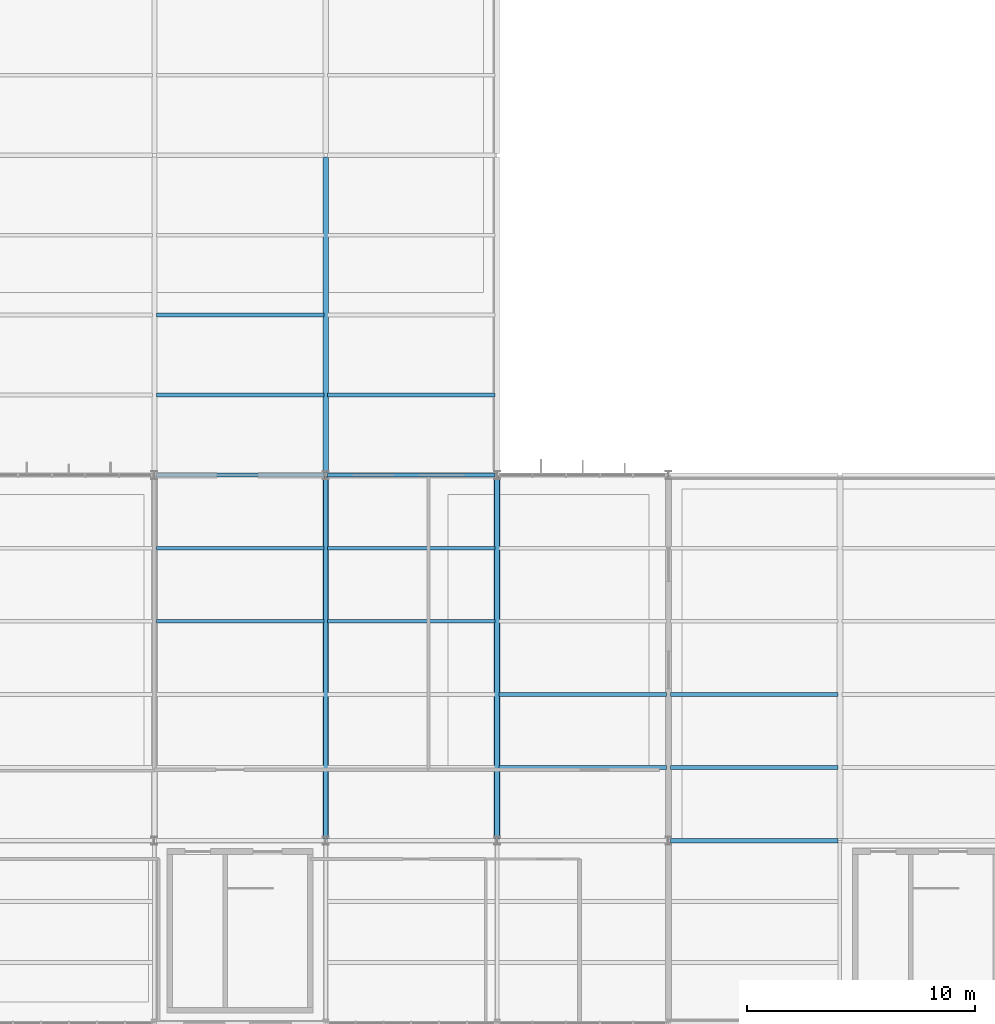
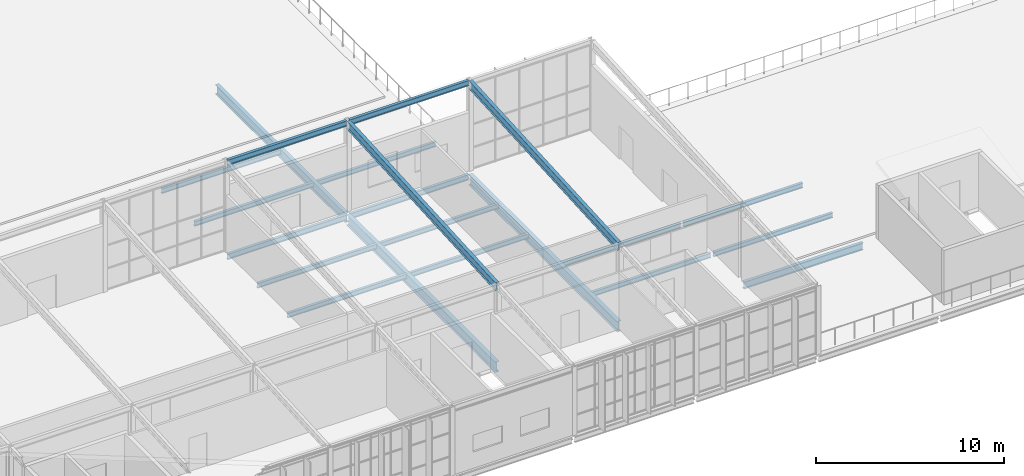
# One storey, part 26 of 104: 21 beams.
"""IFC4 building model written with IfcOpenShell, lengths in metres."""

from ifc_helpers import new_model, si_unit, direction, frame, origin, origin_2d, place, context, subcontext, project, spatial, i_section, extrude, material, material_profile, profile_set, type_object, element, save


model = new_model("IFC4")

# Units and contexts
model_context = context("Model", 3, precision=1e-05, world=origin(), true_north=direction((0.0, 1.0)))
body_context = subcontext(model_context, "Body", "Model", "MODEL_VIEW")
ifc_project = project(units=[si_unit("LENGTHUNIT", "METRE"), si_unit("AREAUNIT", "SQUARE_METRE"), si_unit("VOLUMEUNIT", "CUBIC_METRE"), si_unit("PLANEANGLEUNIT", "RADIAN"), si_unit("MASSUNIT", "GRAM", prefix="KILO")], contexts=[model_context])

# Site, building, storey
site_placement = place(None, origin())
site = spatial("IfcSite", under=ifc_project, at=site_placement, CompositionType="ELEMENT")
building_placement = place(site_placement, origin())
building = spatial("IfcBuilding", under=site, at=building_placement, Name="Solvenia Promenade Tram Depot", CompositionType="ELEMENT")
storey_placement = place(building_placement, frame((0.0, 0.0, 9.0)))
storey = spatial("IfcBuildingStorey", under=building, at=storey_placement, Name="L02", CompositionType="ELEMENT", Elevation=9.0)

# Beams
ifc_material = material(Name="Structural steel ASTM A992 Gr. 50", Category="steel")
ifc_material_profile_1 = material_profile(ifc_material, i_section(OverallWidth=0.19091796875, OverallDepth=0.4599609375, WebThickness=0.010009765625, FlangeThickness=0.01611328125, FilletRadius=0.012939453125, at=origin_2d()), Name="W460x82", Category="steel")
ifc_profile_set_1 = profile_set([ifc_material_profile_1], Name="Structural steel ASTM A992 Gr. 50")
beam_type_1 = type_object("IfcBeamType", Name="Beam-W460x82", PredefinedType="BEAM", material=ifc_profile_set_1)
beam_1_placement = place(storey_placement, frame((52.5849609375, 8.0, -0.469970703125), z_axis=(1.0, 0.0, 0.0), x_axis=(0.0, 1.0, 0.0)))
element("IfcBeam", 1, at=beam_1_placement, inside=storey, type_object=beam_type_1, Name="Primary Girder BM-L02-0745", PredefinedType="BEAM", context=body_context, shape_type="SweptSolid", body=[
    extrude(i_section(OverallWidth=0.19091796875, OverallDepth=0.4599609375, WebThickness=0.010009765625, FlangeThickness=0.01611328125, FilletRadius=0.012939453125, at=origin_2d()), origin(), (0.0, 0.0, 1.0), 7.330078125),
])
ifc_material_profile_2 = material_profile(ifc_material, i_section(OverallWidth=0.2099609375, OverallDepth=0.537109375, WebThickness=0.010986328125, FlangeThickness=0.017333984375, FilletRadius=0.013916015625, at=origin_2d()), Name="W530x101", Category="steel")
ifc_profile_set_2 = profile_set([ifc_material_profile_2], Name="Structural steel ASTM A992 Gr. 50")
beam_type_2 = type_object("IfcBeamType", Name="Gird-W530x101", PredefinedType="BEAM", material=ifc_profile_set_2)
for number, where, z_axis, x_axis, name in (
    (2, (37.5, 8.0849609375, 4.658203125), (0.0, 0.998266347418, 0.058858301144), (-1.0, 0.0, 0.0), "Folded Wing Main Rafter BM-L02-0853"),
    (3, (45.0, 8.0849609375, 4.658203125), (0.0, 0.998266347418, 0.058858301144), (-1.0, 0.0, 0.0), "Folded Wing Main Rafter BM-L02-0855"),
):
    element("IfcBeam", number, at=place(storey_placement, frame(where, z_axis=z_axis, x_axis=x_axis)), inside=storey, type_object=beam_type_2, Name=name, PredefinedType="BEAM", context=body_context, shape_type="SweptSolid", body=[
        extrude(i_section(OverallWidth=0.2099609375, OverallDepth=0.537109375, WebThickness=0.010986328125, FlangeThickness=0.017333984375, FilletRadius=0.013916015625, at=origin_2d()), origin(), (0.0, 0.0, 1.0), 15.857666015625),
    ])
ifc_material_profile_3 = material_profile(ifc_material, i_section(OverallWidth=0.22900390625, OverallDepth=0.612060546875, WebThickness=0.011962890625, FlangeThickness=0.01953125, FilletRadius=0.014892578125, at=origin_2d()), Name="W610x125", Category="steel")
ifc_profile_set_3 = profile_set([ifc_material_profile_3], Name="Structural steel ASTM A992 Gr. 50")
beam_type_3 = type_object("IfcBeamType", Name="Gird-W610x125", PredefinedType="BEAM", material=ifc_profile_set_3)
beam_2_placement = place(storey_placement, frame((37.5, 24.0849609375, -0.56591796875), z_axis=(0.0, 1.0, 0.0), x_axis=(-1.0, 0.0, 0.0)))
element("IfcBeam", 4, at=beam_2_placement, inside=storey, type_object=beam_type_3, Name="Transverse Girder BM-L02-0683", PredefinedType="BEAM", context=body_context, shape_type="SweptSolid", body=[
    extrude(i_section(OverallWidth=0.22900390625, OverallDepth=0.612060546875, WebThickness=0.011962890625, FlangeThickness=0.01953125, FilletRadius=0.014892578125, at=origin_2d()), origin(), (0.0, 0.0, 1.0), 13.830078125),
])
ifc_material_profile_4 = material_profile(ifc_material, i_section(OverallWidth=0.25390625, OverallDepth=0.68408203125, WebThickness=0.012451171875, FlangeThickness=0.018798828125, FilletRadius=0.01611328125, at=origin_2d()), Name="W690x140", Category="steel")
ifc_profile_set_4 = profile_set([ifc_material_profile_4], Name="Structural steel ASTM A992 Gr. 50")
beam_type_4 = type_object("IfcBeamType", Name="Gird-W690x140", PredefinedType="BEAM", material=ifc_profile_set_4)
for number, where, z_axis, x_axis, name in (
    (5, (37.5, 8.0849609375, -0.56201171875), (0.0, 1.0, 0.0), (-1.0, 0.0, 0.0), "Transverse Girder BM-L02-0553"),
    (6, (45.0, 8.0849609375, -0.56201171875), (0.0, 1.0, 0.0), (-1.0, 0.0, 0.0), "Transverse Girder BM-L02-0555"),
):
    element("IfcBeam", number, at=place(storey_placement, frame(where, z_axis=z_axis, x_axis=x_axis)), inside=storey, type_object=beam_type_4, Name=name, PredefinedType="BEAM", context=body_context, shape_type="SweptSolid", body=[
        extrude(i_section(OverallWidth=0.25390625, OverallDepth=0.68408203125, WebThickness=0.012451171875, FlangeThickness=0.018798828125, FilletRadius=0.01611328125, at=origin_2d()), origin(), (0.0, 0.0, 1.0), 15.830078125),
    ])
ifc_material_profile_5 = material_profile(ifc_material, i_section(OverallWidth=0.166015625, OverallDepth=0.31298828125, WebThickness=0.006591796875, FlangeThickness=0.01123046875, FilletRadius=0.010009765625, at=origin_2d()), Name="W310x45", Category="steel")
ifc_profile_set_5 = profile_set([ifc_material_profile_5], Name="Structural steel ASTM A992 Gr. 50")
beam_type_5 = type_object("IfcBeamType", Name="Joist-W310x45", PredefinedType="JOIST", material=ifc_profile_set_5)
for number, where, z_axis, x_axis, name in (
    (7, (30.0849609375, 17.60009765625, -0.37646484375), (1.0, 0.0, 0.0), (0.0, 1.0, 0.0), "Secondary Floor Joist BM-L02-0581"),
    (8, (30.0849609375, 20.800048828125, -0.37646484375), (1.0, 0.0, 0.0), (0.0, 1.0, 0.0), "Secondary Floor Joist BM-L02-0582"),
    (9, (37.5849609375, 17.60009765625, -0.37646484375), (1.0, 0.0, 0.0), (0.0, 1.0, 0.0), "Secondary Floor Joist BM-L02-0587"),
    (10, (37.5849609375, 20.800048828125, -0.37646484375), (1.0, 0.0, 0.0), (0.0, 1.0, 0.0), "Secondary Floor Joist BM-L02-0588"),
    (11, (45.0849609375, 11.199951171875, -0.37646484375), (1.0, 0.0, 0.0), (0.0, 1.0, 0.0), "Secondary Floor Joist BM-L02-0591"),
    (12, (45.0849609375, 14.39990234375, -0.37646484375), (1.0, 0.0, 0.0), (0.0, 1.0, 0.0), "Secondary Floor Joist BM-L02-0592"),
    (13, (30.0849609375, 27.5, -0.41650390625), (1.0, 0.0, 0.0), (0.0, 1.0, 0.0), "Secondary Floor Joist BM-L02-0723"),
    (14, (30.0849609375, 31.0, -0.41650390625), (1.0, 0.0, 0.0), (0.0, 1.0, 0.0), "Secondary Floor Joist BM-L02-0724"),
    (15, (37.5849609375, 27.5, -0.41650390625), (1.0, 0.0, 0.0), (0.0, 1.0, 0.0), "Secondary Floor Joist BM-L02-0732"),
    (16, (52.5849609375, 11.199951171875, -0.396484375), (1.0, 0.0, 0.0), (0.0, 1.0, 0.0), "Secondary Floor Joist BM-L02-0767"),
    (17, (52.5849609375, 14.39990234375, -0.396484375), (1.0, 0.0, 0.0), (0.0, 1.0, 0.0), "Secondary Floor Joist BM-L02-0768"),
):
    element("IfcBeam", number, at=place(storey_placement, frame(where, z_axis=z_axis, x_axis=x_axis)), inside=storey, type_object=beam_type_5, Name=name, PredefinedType="JOIST", context=body_context, shape_type="SweptSolid", body=[
        extrude(i_section(OverallWidth=0.166015625, OverallDepth=0.31298828125, WebThickness=0.006591796875, FlangeThickness=0.01123046875, FilletRadius=0.010009765625, at=origin_2d()), origin(), (0.0, 0.0, 1.0), 7.330078125),
    ])
ifc_material_profile_6 = material_profile(ifc_material, i_section(OverallWidth=0.172119140625, OverallDepth=0.35791015625, WebThickness=0.0078125, FlangeThickness=0.01318359375, FilletRadius=0.010986328125, at=origin_2d()), Name="W360x57", Category="steel")
ifc_profile_set_6 = profile_set([ifc_material_profile_6], Name="Structural steel ASTM A992 Gr. 50")
beam_type_6 = type_object("IfcBeamType", Name="Spandrel-W360x57", PredefinedType="SPANDREL", material=ifc_profile_set_6)
for number, where, z_axis, x_axis, name in (
    (18, (30.0849609375, 24.0, -0.43896484375), (1.0, 0.0, 0.0), (0.0, 1.0, 0.0), "Perimeter Spandrel BM-L02-0540"),
    (19, (37.5849609375, 24.0, -0.43896484375), (1.0, 0.0, 0.0), (0.0, 1.0, 0.0), "Perimeter Spandrel BM-L02-0541"),
    (20, (30.0849609375, 24.0, 5.680908203125), (1.0, 0.0, 0.0), (0.0, 1.0, 0.0), "Folded Wing Roof Eave Beam BM-L02-0872"),
    (21, (37.5849609375, 24.0, 5.680908203125), (1.0, 0.0, 0.0), (0.0, 1.0, 0.0), "Folded Wing Roof Eave Beam BM-L02-0875"),
):
    element("IfcBeam", number, at=place(storey_placement, frame(where, z_axis=z_axis, x_axis=x_axis)), inside=storey, type_object=beam_type_6, Name=name, PredefinedType="SPANDREL", context=body_context, shape_type="SweptSolid", body=[
        extrude(i_section(OverallWidth=0.172119140625, OverallDepth=0.35791015625, WebThickness=0.0078125, FlangeThickness=0.01318359375, FilletRadius=0.010986328125, at=origin_2d()), origin(), (0.0, 0.0, 1.0), 7.330078125),
    ])

save(model, "model.ifc")
